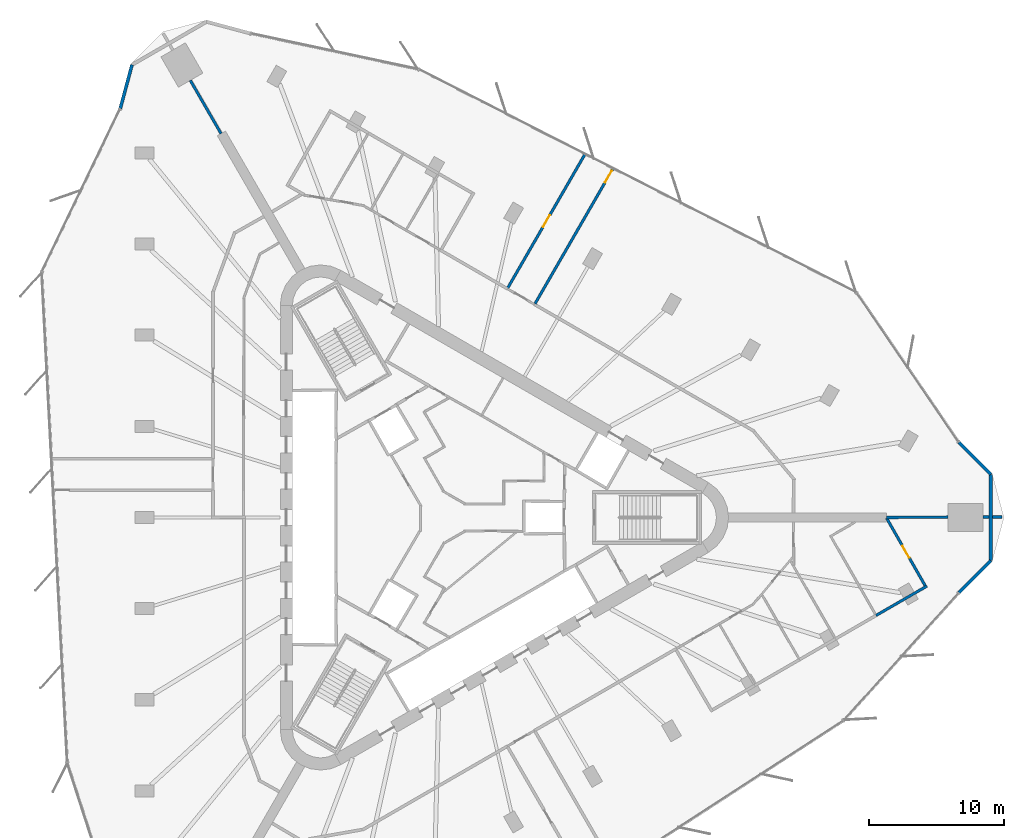
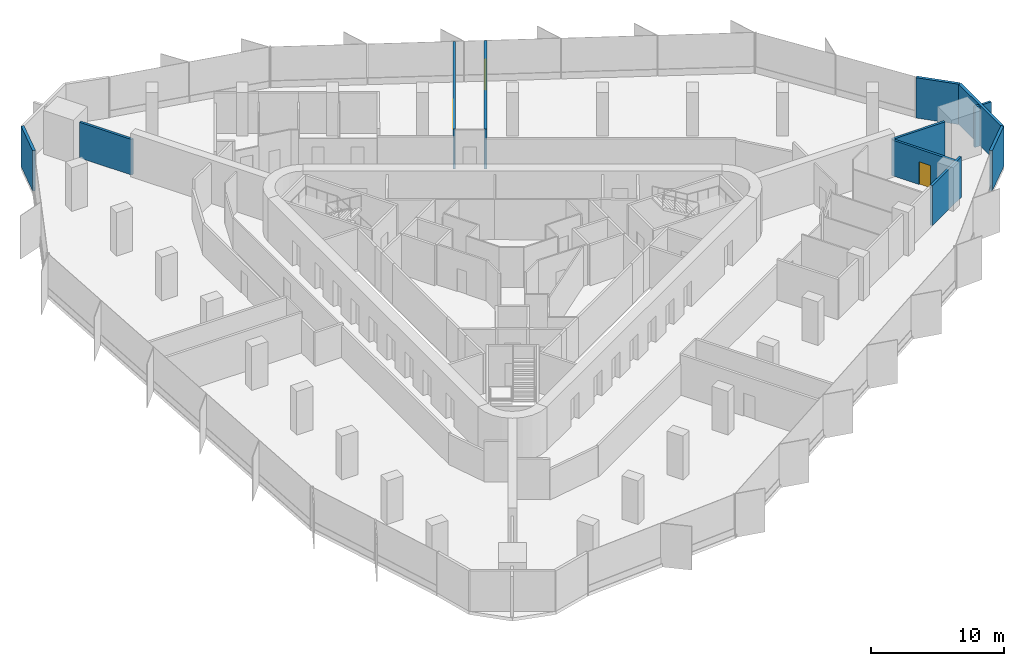
# One storey, part 12 of 14: 12 walls, 3 doors, 3 openings.
"""IFC4 building model written with IfcOpenShell, lengths in metres."""

from ifc_helpers import new_model, si_unit, direction, frame, frame_2d, origin, place, context, subcontext, project, spatial, rectangle, extrude, material, layer, layer_set, type_object, element, fill, save


model = new_model("IFC4")

# Units and contexts
model_context = context("Model", 3, precision=1e-05, world=origin(), true_north=direction((0.0, 1.0)))
body_context = subcontext(model_context, "Body", "Model", "MODEL_VIEW")
ifc_project = project(units=[si_unit("LENGTHUNIT", "METRE"), si_unit("AREAUNIT", "SQUARE_METRE"), si_unit("VOLUMEUNIT", "CUBIC_METRE"), si_unit("PLANEANGLEUNIT", "RADIAN"), si_unit("MASSUNIT", "GRAM", prefix="KILO")], contexts=[model_context])

# Site, building, storey
site_placement = place(None, origin())
site = spatial("IfcSite", under=ifc_project, at=site_placement, CompositionType="ELEMENT")
building_placement = place(site_placement, origin())
building = spatial("IfcBuilding", under=site, at=building_placement, Name="Tanit Gate Tower", CompositionType="ELEMENT")
storey_placement = place(building_placement, frame((0.0, 0.0, 209.199951171875)))
storey = spatial("IfcBuildingStorey", under=building, at=storey_placement, Name="L46", CompositionType="ELEMENT", Elevation=209.199951171875)

# Walls
ifc_material_1 = material(Name="Concrete C30/37 with bronze anodised aluminium cladding", Category="concrete")
ifc_layer_1 = layer(ifc_material_1, 0.239990234375)
ifc_layer_set_1 = layer_set([ifc_layer_1], Name="Facade wall bronze clad 240")
wall_type_1 = type_object("IfcWallType", Name="Facade wall bronze clad 240", PredefinedType="SOLIDWALL", material=ifc_layer_set_1)
wall_1_placement = place(storey_placement, frame((-23.114013671875, 33.626220703125, 0.0), z_axis=(0.0, 0.0, 1.0), x_axis=(-0.258824439285, -0.965924380906, 0.0)))
element("IfcWall", 1, at=wall_1_placement, inside=storey, type_object=wall_type_1, Name="Bronze-clad facade wall L46 NW.arc3", PredefinedType="SOLIDWALL", context=body_context, shape_type="SweptSolid", body=[
    extrude(rectangle(XDim=3.36083984375, YDim=0.239990234375, at=frame_2d((1.680419921875, 0.0))), origin(), (0.0, 0.0, 1.0), 3.699951171875),
])
wall_2_placement = place(storey_placement, frame((38.3076171875, -5.574951171875, 0.0), z_axis=(0.0, 0.0, 1.0), x_axis=(0.707106781187, 0.707106781187, 0.0)))
element("IfcWall", 2, at=wall_2_placement, inside=storey, type_object=wall_type_1, Name="Bronze-clad facade wall L46 E.arc1", PredefinedType="SOLIDWALL", context=body_context, shape_type="SweptSolid", body=[
    extrude(rectangle(XDim=3.3525390625, YDim=0.239990234375, at=frame_2d((1.67626953125, 0.0))), origin(), (0.0, 0.0, 1.0), 3.699951171875),
])
wall_3_placement = place(storey_placement, frame((40.67822265625, -3.204345703125, 0.0), z_axis=(0.0, 0.0, 1.0), x_axis=(0.0, 1.0, 0.0)))
element("IfcWall", 3, at=wall_3_placement, inside=storey, type_object=wall_type_1, Name="Bronze-clad facade wall L46 E.arc2", PredefinedType="SOLIDWALL", context=body_context, shape_type="SweptSolid", body=[
    extrude(rectangle(XDim=6.40869140625, YDim=0.239990234375, at=frame_2d((3.204345703125, 0.0))), origin(), (0.0, 0.0, 1.0), 3.699951171875),
])
wall_4_placement = place(storey_placement, frame((40.67822265625, 3.204345703125, 0.0), z_axis=(0.0, 0.0, 1.0), x_axis=(-0.707106781187, 0.707106781187, 0.0)))
element("IfcWall", 4, at=wall_4_placement, inside=storey, type_object=wall_type_1, Name="Bronze-clad facade wall L46 E.arc3", PredefinedType="SOLIDWALL", context=body_context, shape_type="SweptSolid", body=[
    extrude(rectangle(XDim=3.36083984375, YDim=0.239990234375, at=frame_2d((1.680419921875, 0.0))), origin(), (0.0, 0.0, 1.0), 3.699951171875),
])
ifc_material_2 = material(Name="Fire-rated gypsum board partition")
ifc_layer_2 = layer(ifc_material_2, 0.199951171875)
ifc_layer_set_2 = layer_set([ifc_layer_2], Name="INT-WALL-COMPARTMENT")
wall_type_2 = type_object("IfcWallType", Name="INT-WALL-COMPARTMENT", PredefinedType="PARTITIONING", material=ifc_layer_set_2)
wall_5_placement = place(storey_placement, frame((-16.498046875, 28.515380859375, 0.0), z_axis=(0.0, 0.0, 1.0), x_axis=(-0.499997018584, 0.866027125099, 0.0)))
element("IfcWall", 5, at=wall_5_placement, inside=storey, type_object=wall_type_2, Name="Wall Compartment W124", PredefinedType="PARTITIONING", context=body_context, shape_type="SweptSolid", body=[
    extrude(rectangle(XDim=4.56689453125, YDim=0.199951171875, at=frame_2d((2.283447265625, 0.0))), origin(), (0.0, 0.0, 1.0), 3.27001953125),
])

# Wall, opening, door
wall_6_placement = place(storey_placement, frame((6.822021484375, 15.8759765625, 0.0), z_axis=(0.0, 0.0, 1.0), x_axis=(0.499996172356, 0.866027613664, 0.0)))
wall_6 = element("IfcWall", 6, at=wall_6_placement, inside=storey, type_object=wall_type_2, Name="Wall Compartment W125", PredefinedType="PARTITIONING", context=body_context, shape_type="SweptSolid", body=[
    extrude(rectangle(XDim=11.60693359375, YDim=0.199951171875, at=frame_2d((5.803466796875, 0.0))), origin(), (0.0, 0.0, 1.0), 3.699951171875),
])
opening_1_placement = place(wall_6_placement, frame((10.406982421875, 0.0, 0.0)))
opening_1 = element("IfcOpeningElement", 7, at=opening_1_placement, cuts=wall_6, Name="Opening F10-S12-32", PredefinedType="OPENING", context=body_context, shape_type="SweptSolid", body=[
    extrude(rectangle(XDim=1.0, YDim=2.10009765625, at=frame_2d((0.5, 1.050048828125))), frame((0.0, 0.10986328125, 0.0), z_axis=(0.0, -1.0, 0.0), x_axis=(1.0, 0.0, 0.0)), (0.0, 0.0, 1.0), 0.219970703125),
])
ifc_material_3 = material(Name="Fire-rated steel door leaf", Category="steel")
door_type = type_object("IfcDoorType", Name="INT-DOOR-FIRE-1000", OperationType="NOTDEFINED", PredefinedType="USERDEFINED", material=ifc_material_3)
door_1_placement = place(opening_1_placement, origin())
door_1 = element("IfcDoor", 8, at=door_1_placement, inside=storey, type_object=door_type, Name="Door F10-S12-32", ObjectType="FIRE DOOR", OperationType="SINGLE_SWING_LEFT", OverallHeight=2.10009765625, OverallWidth=1.0, PredefinedType="USERDEFINED", context=body_context, shape_type="SweptSolid", body=[
    extrude(rectangle(XDim=1.0, YDim=2.10009765625, at=frame_2d((0.5, 1.050048828125))), frame((0.0, 0.02490234375, 0.0), z_axis=(0.0, -1.0, 0.0), x_axis=(1.0, 0.0, 0.0)), (0.0, 0.0, 1.0), 0.050048828125),
])
fill(opening_1, door_1)

wall_7_placement = place(storey_placement, frame((10.5380859375, 26.992431640625, 0.0), z_axis=(0.0, 0.0, 1.0), x_axis=(-0.500002753014, -0.866023814325, 0.0)))
wall_7 = element("IfcWall", 9, at=wall_7_placement, inside=storey, type_object=wall_type_2, Name="Wall Compartment W126", PredefinedType="PARTITIONING", context=body_context, shape_type="SweptSolid", body=[
    extrude(rectangle(XDim=11.4853515625, YDim=0.199951171875, at=frame_2d((5.74267578125, 0.0))), origin(), (0.0, 0.0, 1.0), 3.699951171875),
])
opening_2_placement = place(wall_7_placement, frame((5.24267578125, 0.0, 0.0)))
opening_2 = element("IfcOpeningElement", 10, at=opening_2_placement, cuts=wall_7, Name="Opening F10-S12-33", PredefinedType="OPENING", context=body_context, shape_type="SweptSolid", body=[
    extrude(rectangle(XDim=1.0, YDim=2.10009765625, at=frame_2d((0.5, 1.050048828125))), frame((0.0, 0.10986328125, 0.0), z_axis=(0.0, -1.0, 0.0), x_axis=(1.0, 0.0, 0.0)), (0.0, 0.0, 1.0), 0.219970703125),
])
door_2_placement = place(opening_2_placement, origin())
door_2 = element("IfcDoor", 11, at=door_2_placement, inside=storey, type_object=door_type, Name="Door F10-S12-33", ObjectType="FIRE DOOR", OperationType="SINGLE_SWING_RIGHT", OverallHeight=2.10009765625, OverallWidth=1.0, PredefinedType="USERDEFINED", context=body_context, shape_type="SweptSolid", body=[
    extrude(rectangle(XDim=1.0, YDim=2.10009765625, at=frame_2d((0.5, 1.050048828125))), frame((0.0, 0.02490234375, 0.0), z_axis=(0.0, -1.0, 0.0), x_axis=(1.0, 0.0, 0.0)), (0.0, 0.0, 1.0), 0.050048828125),
])
fill(opening_2, door_2)

# Walls
wall_8_placement = place(storey_placement, frame((32.94384765625, 0.00048828125, 0.0), z_axis=(0.0, 0.0, 1.0), x_axis=(0.999979082064, 0.006468031696, 0.0)))
element("IfcWall", 12, at=wall_8_placement, inside=storey, type_object=wall_type_2, Name="Wall Compartment W127", PredefinedType="PARTITIONING", context=body_context, shape_type="SweptSolid", body=[
    extrude(rectangle(XDim=4.567138671875, YDim=0.199951171875, at=frame_2d((2.28369140625, 0.0))), origin(), (0.0, 0.0, 1.0), 3.27001953125),
])
wall_9_placement = place(storey_placement, frame((40.111083984375, 0.030029296875, 0.0), z_axis=(0.0, 0.0, 1.0), x_axis=(1.0, 0.0, 0.0)))
element("IfcWall", 13, at=wall_9_placement, inside=storey, type_object=wall_type_2, Name="Wall Compartment W128", PredefinedType="PARTITIONING", context=body_context, shape_type="SweptSolid", body=[
    extrude(rectangle(XDim=0.447021484375, YDim=0.199951171875, at=frame_2d((0.2236328125, 0.0))), origin(), (0.0, 0.0, 1.0), 3.699951171875),
])
wall_10_placement = place(storey_placement, frame((40.798095703125, 0.030029296875, 0.0), z_axis=(0.0, 0.0, 1.0), x_axis=(1.0, 0.0, 0.0)))
element("IfcWall", 14, at=wall_10_placement, inside=storey, type_object=wall_type_2, Name="Wall Compartment W128x1", PredefinedType="PARTITIONING", context=body_context, shape_type="SweptSolid", body=[
    extrude(rectangle(XDim=0.730712890625, YDim=0.199951171875, at=frame_2d((0.365234375, 0.0))), origin(), (0.0, 0.0, 1.0), 3.699951171875),
])
wall_11_placement = place(storey_placement, frame((35.936767578125, -5.09423828125, 0.0), z_axis=(0.0, 0.0, 1.0), x_axis=(-0.866036659782, -0.499980503534, 0.0)))
element("IfcWall", 15, at=wall_11_placement, inside=storey, type_object=wall_type_2, Name="Wall Compartment W143", PredefinedType="PARTITIONING", context=body_context, shape_type="SweptSolid", body=[
    extrude(rectangle(XDim=4.367919921875, YDim=0.199951171875, at=frame_2d((2.18408203125, 0.0))), origin(), (0.0, 0.0, 1.0), 3.699951171875),
])

# Wall, opening, door
wall_12_placement = place(storey_placement, frame((35.800537109375, -5.057373046875, 0.0), z_axis=(0.0, 0.0, 1.0), x_axis=(-0.495623394513, 0.868537535637, 0.0)))
wall_12 = element("IfcWall", 16, at=wall_12_placement, inside=storey, type_object=wall_type_2, Name="Wall Compartment W144", PredefinedType="PARTITIONING", context=body_context, shape_type="SweptSolid", body=[
    extrude(rectangle(XDim=5.763916015625, YDim=0.199951171875, at=frame_2d((2.8818359375, 0.0))), origin(), (0.0, 0.0, 1.0), 3.27001953125),
])
opening_3_placement = place(wall_12_placement, frame((2.3818359375, 0.0, 0.0)))
opening_3 = element("IfcOpeningElement", 17, at=opening_3_placement, cuts=wall_12, Name="Opening F10-S12-29", PredefinedType="OPENING", context=body_context, shape_type="SweptSolid", body=[
    extrude(rectangle(XDim=1.0, YDim=2.10009765625, at=frame_2d((0.5, 1.050048828125))), frame((0.0, 0.10986328125, 0.0), z_axis=(0.0, -1.0, 0.0), x_axis=(1.0, 0.0, 0.0)), (0.0, 0.0, 1.0), 0.219970703125),
])
door_3_placement = place(opening_3_placement, origin())
door_3 = element("IfcDoor", 18, at=door_3_placement, inside=storey, type_object=door_type, Name="Door F10-S12-29", ObjectType="FIRE DOOR", OperationType="SINGLE_SWING_RIGHT", OverallHeight=2.10009765625, OverallWidth=1.0, PredefinedType="USERDEFINED", context=body_context, shape_type="SweptSolid", body=[
    extrude(rectangle(XDim=1.0, YDim=2.10009765625, at=frame_2d((0.5, 1.050048828125))), frame((0.0, 0.02490234375, 0.0), z_axis=(0.0, -1.0, 0.0), x_axis=(1.0, 0.0, 0.0)), (0.0, 0.0, 1.0), 0.050048828125),
])
fill(opening_3, door_3)

save(model, "model.ifc")
